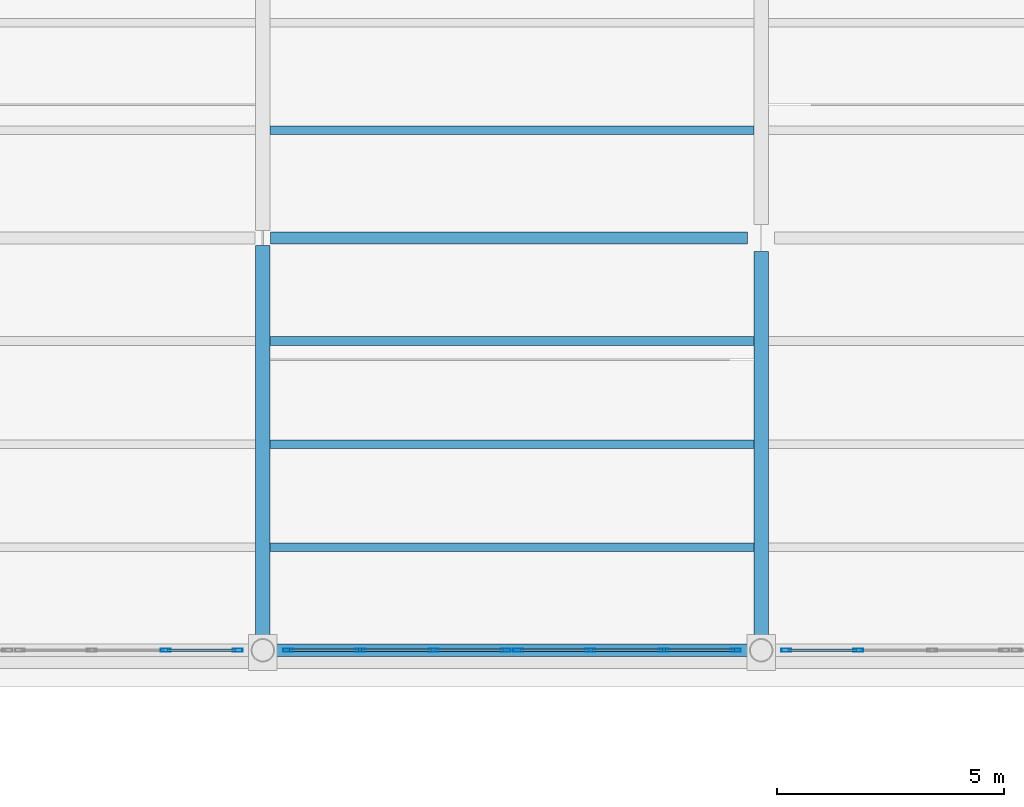
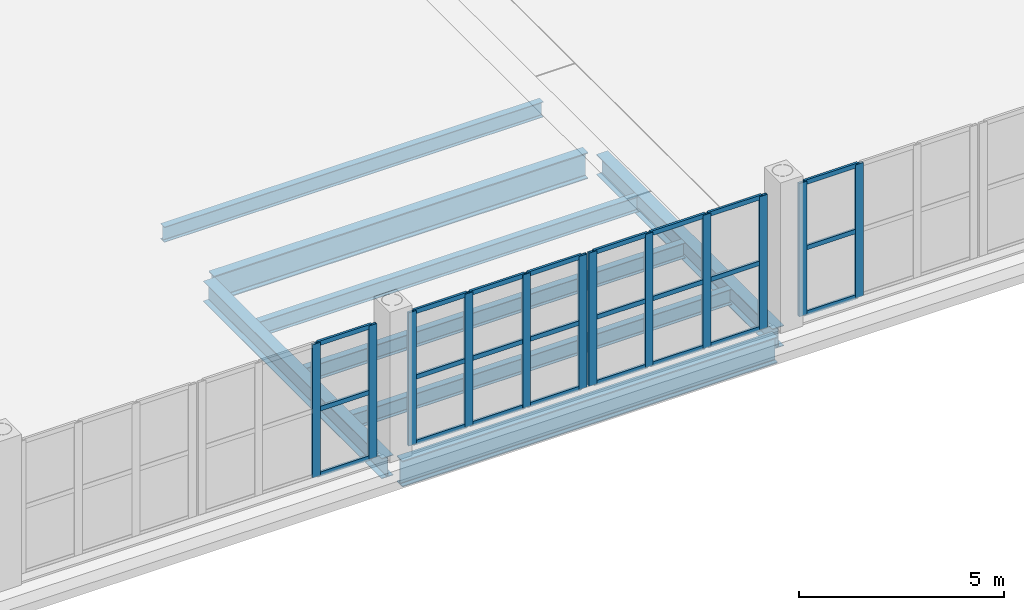
# One storey, part 26 of 156: 36 members, 8 beams, 4 elements without a shape of their own.
"""IFC4 building model written with IfcOpenShell, lengths in metres."""

from ifc_helpers import new_model, si_unit, direction, frame, origin, origin_2d, place, context, subcontext, project, spatial, hollow_rectangle, i_section, extrude, material, material_profile, profile_set, type_object, element, aggregate, save


model = new_model("IFC4")

# Units and contexts
model_context = context("Model", 3, precision=1e-05, world=origin(), true_north=direction((0.0, 1.0)))
body_context = subcontext(model_context, "Body", "Model", "MODEL_VIEW")
ifc_project = project(units=[si_unit("LENGTHUNIT", "METRE"), si_unit("AREAUNIT", "SQUARE_METRE"), si_unit("VOLUMEUNIT", "CUBIC_METRE"), si_unit("PLANEANGLEUNIT", "RADIAN"), si_unit("MASSUNIT", "GRAM", prefix="KILO")], contexts=[model_context])

# Site, building, storey
site_placement = place(None, origin())
site = spatial("IfcSite", under=ifc_project, at=site_placement, CompositionType="ELEMENT")
building_placement = place(site_placement, origin())
building = spatial("IfcBuilding", under=site, at=building_placement, Name="Caurita Quay Ferry Terminal", CompositionType="ELEMENT")
storey_placement = place(building_placement, frame((0.0, 0.0, 5.39990234375)))
storey = spatial("IfcBuildingStorey", under=building, at=storey_placement, Name="L01", CompositionType="ELEMENT", Elevation=5.39990234375)

# Beams
ifc_material_1 = material(Name="Structural steel ASTM A992 Gr. 50", Category="steel")
ifc_material_profile_1 = material_profile(ifc_material_1, i_section(OverallWidth=0.3251953125, OverallDepth=0.612060546875, WebThickness=0.0126953125, FlangeThickness=0.01904296875, FilletRadius=0.01513671875, at=origin_2d()), Name="W24X104")
ifc_profile_set_1 = profile_set([ifc_material_profile_1], Name="Structural steel ASTM A992 Gr. 50")
beam_type_1 = type_object("IfcBeamType", Name="BM-GR-W24A", PredefinedType="BEAM", material=ifc_profile_set_1)
beam_1_placement = place(storey_placement, frame((33.0, 34.81591796875, -0.60595703125), z_axis=(0.0, 1.0, 0.0), x_axis=(-1.0, 0.0, 0.0)))
element("IfcBeam", 1, at=beam_1_placement, inside=storey, type_object=beam_type_1, Name="L01 Beam BM-V1-L01-Y-330-348", PredefinedType="BEAM", context=body_context, shape_type="SweptSolid", body=[
    extrude(i_section(OverallWidth=0.3251953125, OverallDepth=0.612060546875, WebThickness=0.0126953125, FlangeThickness=0.01904296875, FilletRadius=0.01513671875, at=origin_2d()), origin(), (0.0, 0.0, 1.0), 8.714599609375),
])
beam_2_placement = place(storey_placement, frame((44.0, 34.81591796875, -0.60595703125), z_axis=(0.0, 1.0, 0.0), x_axis=(-1.0, 0.0, 0.0)))
element("IfcBeam", 2, at=beam_2_placement, inside=storey, type_object=beam_type_1, Name="L01 Beam BM-V1-L01-Y-440-348", PredefinedType="BEAM", context=body_context, shape_type="SweptSolid", body=[
    extrude(i_section(OverallWidth=0.3251953125, OverallDepth=0.612060546875, WebThickness=0.0126953125, FlangeThickness=0.01904296875, FilletRadius=0.01513671875, at=origin_2d()), origin(), (0.0, 0.0, 1.0), 8.586669921875),
])
ifc_material_profile_2 = material_profile(ifc_material_1, i_section(OverallWidth=0.2666015625, OverallDepth=0.77978515625, WebThickness=0.0166015625, FlangeThickness=0.030029296875, FilletRadius=0.01904296875, at=origin_2d()), Name="W30X148")
ifc_profile_set_2 = profile_set([ifc_material_profile_2], Name="Structural steel ASTM A992 Gr. 50")
beam_type_2 = type_object("IfcBeamType", Name="BM-GR-W30A", PredefinedType="BEAM", material=ifc_profile_set_2)
beam_3_placement = place(storey_placement, frame((33.2158203125, 34.60009765625, -0.689697265625), z_axis=(1.0, 0.0, 0.0), x_axis=(0.0, 1.0, 0.0)))
element("IfcBeam", 3, at=beam_3_placement, inside=storey, type_object=beam_type_2, Name="L01 Beam BM-V1-L01-X-332-346", PredefinedType="BEAM", context=body_context, shape_type="SweptSolid", body=[
    extrude(i_section(OverallWidth=0.2666015625, OverallDepth=0.77978515625, WebThickness=0.0166015625, FlangeThickness=0.030029296875, FilletRadius=0.01904296875, at=origin_2d()), origin(), (0.0, 0.0, 1.0), 10.568359375),
])
beam_4_placement = place(storey_placement, frame((33.17041015625, 43.699951171875, -0.689697265625), z_axis=(1.0, 0.0, 0.0), x_axis=(0.0, 1.0, 0.0)))
element("IfcBeam", 4, at=beam_4_placement, inside=storey, type_object=beam_type_2, Name="L01 Beam BM-V1-L01-X-332-437", PredefinedType="BEAM", context=body_context, shape_type="SweptSolid", body=[
    extrude(i_section(OverallWidth=0.2666015625, OverallDepth=0.77978515625, WebThickness=0.0166015625, FlangeThickness=0.030029296875, FilletRadius=0.01904296875, at=origin_2d()), origin(), (0.0, 0.0, 1.0), 10.531982421875),
])
ifc_material_profile_3 = material_profile(ifc_material_1, i_section(OverallWidth=0.1904296875, OverallDepth=0.457275390625, WebThickness=0.009033203125, FlangeThickness=0.014404296875, FilletRadius=0.0126953125, at=origin_2d()), Name="W18X50")
ifc_profile_set_3 = profile_set([ifc_material_profile_3], Name="Structural steel ASTM A992 Gr. 50")
beam_type_3 = type_object("IfcBeamType", Name="BM-JS-W18B", PredefinedType="JOIST", material=ifc_profile_set_3)
for number, where, z_axis, x_axis, name in (
    (5, (33.16259765625, 36.875, -0.528564453125), (1.0, 0.0, 0.0), (0.0, 1.0, 0.0), "L01 Beam JS-V1-L01-029"),
    (6, (33.16259765625, 39.14990234375, -0.528564453125), (1.0, 0.0, 0.0), (0.0, 1.0, 0.0), "L01 Beam JS-V1-L01-030"),
    (7, (33.16259765625, 41.425048828125, -0.528564453125), (1.0, 0.0, 0.0), (0.0, 1.0, 0.0), "L01 Beam JS-V1-L01-031"),
    (8, (33.16259765625, 46.074951171875, -0.528564453125), (1.0, 0.0, 0.0), (0.0, 1.0, 0.0), "L01 Beam JS-V1-L01-032"),
):
    element("IfcBeam", number, at=place(storey_placement, frame(where, z_axis=z_axis, x_axis=x_axis)), inside=storey, type_object=beam_type_3, Name=name, PredefinedType="JOIST", context=body_context, shape_type="SweptSolid", body=[
        extrude(i_section(OverallWidth=0.1904296875, OverallDepth=0.457275390625, WebThickness=0.009033203125, FlangeThickness=0.014404296875, FilletRadius=0.0126953125, at=origin_2d()), origin(), (0.0, 0.0, 1.0), 10.6748046875),
    ])

# Curtain wall, members
ifc_material_2 = material(Name="Laminated solar-control insulated glass", Category="glass")
curtain_wall_type = type_object("IfcCurtainWallType", Name="CW-SYS-08", PredefinedType="NOTDEFINED", material=ifc_material_2)
curtain_wall_1_placement = place(storey_placement, origin())
curtain_wall_1 = element("IfcCurtainWall", 9, at=curtain_wall_1_placement, inside=storey, type_object=curtain_wall_type, Name="V1 Waterside Concourse Curtain Wall 054", PredefinedType="NOTDEFINED")
ifc_material_3 = material(Name="Anodized aluminium 6063-T6", Category="aluminium")
ifc_material_profile_4 = material_profile(ifc_material_3, hollow_rectangle(XDim=0.074951171875, YDim=0.219970703125, WallThickness=0.00390625, at=origin_2d()), Name="ALU-MUL-75X220")
ifc_profile_set_4 = profile_set([ifc_material_profile_4], Name="Anodized aluminium 6063-T6")
member_type_1 = type_object("IfcMemberType", Name="CW-MUL-220", PredefinedType="MULLION", material=ifc_profile_set_4)
member_1_placement = place(storey_placement, frame((30.853271484375, 34.60009765625, 0.0), z_axis=(0.0, 0.0, 1.0), x_axis=(0.0, 1.0, 0.0)))
member_1 = element("IfcMember", 10, at=member_1_placement, type_object=member_type_1, Name="CW-SEA-054 Mullion 3", PredefinedType="MULLION", context=body_context, shape_type="SweptSolid", body=[
    extrude(hollow_rectangle(XDim=0.074951171875, YDim=0.219970703125, WallThickness=0.00390625, at=origin_2d()), origin(), (0.0, 0.0, 1.0), 3.97021484375),
])
member_2_placement = place(storey_placement, frame((32.4423828125, 34.60009765625, 0.0), z_axis=(0.0, 0.0, 1.0), x_axis=(0.0, 1.0, 0.0)))
member_2 = element("IfcMember", 11, at=member_2_placement, type_object=member_type_1, Name="CW-SEA-054 Mullion 4", PredefinedType="MULLION", context=body_context, shape_type="SweptSolid", body=[
    extrude(hollow_rectangle(XDim=0.074951171875, YDim=0.219970703125, WallThickness=0.00390625, at=origin_2d()), origin(), (0.0, 0.0, 1.0), 3.97021484375),
])

curtain_wall_2_placement = place(storey_placement, origin())
curtain_wall_2 = element("IfcCurtainWall", 12, at=curtain_wall_2_placement, inside=storey, type_object=curtain_wall_type, Name="V1 Waterside Concourse Curtain Wall 055", PredefinedType="NOTDEFINED")
member_3_placement = place(storey_placement, frame((33.5576171875, 34.60009765625, 0.0), z_axis=(0.0, 0.0, 1.0), x_axis=(0.0, 1.0, 0.0)))
member_3 = element("IfcMember", 13, at=member_3_placement, type_object=member_type_1, Name="CW-SEA-055 Mullion 1", PredefinedType="MULLION", context=body_context, shape_type="SweptSolid", body=[
    extrude(hollow_rectangle(XDim=0.074951171875, YDim=0.219970703125, WallThickness=0.00390625, at=origin_2d()), origin(), (0.0, 0.0, 1.0), 3.97021484375),
])
member_4_placement = place(storey_placement, frame((35.146728515625, 34.60009765625, 0.0), z_axis=(0.0, 0.0, 1.0), x_axis=(0.0, 1.0, 0.0)))
member_4 = element("IfcMember", 14, at=member_4_placement, type_object=member_type_1, Name="CW-SEA-055 Mullion 2", PredefinedType="MULLION", context=body_context, shape_type="SweptSolid", body=[
    extrude(hollow_rectangle(XDim=0.074951171875, YDim=0.219970703125, WallThickness=0.00390625, at=origin_2d()), origin(), (0.0, 0.0, 1.0), 3.97021484375),
])
member_5_placement = place(storey_placement, frame((36.773193359375, 34.60009765625, 0.0), z_axis=(0.0, 0.0, 1.0), x_axis=(0.0, 1.0, 0.0)))
member_5 = element("IfcMember", 15, at=member_5_placement, type_object=member_type_1, Name="CW-SEA-055 Mullion 3", PredefinedType="MULLION", context=body_context, shape_type="SweptSolid", body=[
    extrude(hollow_rectangle(XDim=0.074951171875, YDim=0.219970703125, WallThickness=0.00390625, at=origin_2d()), origin(), (0.0, 0.0, 1.0), 3.97021484375),
])
member_6_placement = place(storey_placement, frame((38.362548828125, 34.60009765625, 0.0), z_axis=(0.0, 0.0, 1.0), x_axis=(0.0, 1.0, 0.0)))
member_6 = element("IfcMember", 16, at=member_6_placement, type_object=member_type_1, Name="CW-SEA-055 Mullion 4", PredefinedType="MULLION", context=body_context, shape_type="SweptSolid", body=[
    extrude(hollow_rectangle(XDim=0.074951171875, YDim=0.219970703125, WallThickness=0.00390625, at=origin_2d()), origin(), (0.0, 0.0, 1.0), 3.97021484375),
])

curtain_wall_3_placement = place(storey_placement, origin())
curtain_wall_3 = element("IfcCurtainWall", 17, at=curtain_wall_3_placement, inside=storey, type_object=curtain_wall_type, Name="V1 Waterside Concourse Curtain Wall 056", PredefinedType="NOTDEFINED")
member_7_placement = place(storey_placement, frame((38.637451171875, 34.60009765625, 0.0), z_axis=(0.0, 0.0, 1.0), x_axis=(0.0, 1.0, 0.0)))
member_7 = element("IfcMember", 18, at=member_7_placement, type_object=member_type_1, Name="CW-SEA-056 Mullion 1", PredefinedType="MULLION", context=body_context, shape_type="SweptSolid", body=[
    extrude(hollow_rectangle(XDim=0.074951171875, YDim=0.219970703125, WallThickness=0.00390625, at=origin_2d()), origin(), (0.0, 0.0, 1.0), 3.97021484375),
])
member_8_placement = place(storey_placement, frame((40.226806640625, 34.60009765625, 0.0), z_axis=(0.0, 0.0, 1.0), x_axis=(0.0, 1.0, 0.0)))
member_8 = element("IfcMember", 19, at=member_8_placement, type_object=member_type_1, Name="CW-SEA-056 Mullion 2", PredefinedType="MULLION", context=body_context, shape_type="SweptSolid", body=[
    extrude(hollow_rectangle(XDim=0.074951171875, YDim=0.219970703125, WallThickness=0.00390625, at=origin_2d()), origin(), (0.0, 0.0, 1.0), 3.97021484375),
])
member_9_placement = place(storey_placement, frame((41.853271484375, 34.60009765625, 0.0), z_axis=(0.0, 0.0, 1.0), x_axis=(0.0, 1.0, 0.0)))
member_9 = element("IfcMember", 20, at=member_9_placement, type_object=member_type_1, Name="CW-SEA-056 Mullion 3", PredefinedType="MULLION", context=body_context, shape_type="SweptSolid", body=[
    extrude(hollow_rectangle(XDim=0.074951171875, YDim=0.219970703125, WallThickness=0.00390625, at=origin_2d()), origin(), (0.0, 0.0, 1.0), 3.97021484375),
])
member_10_placement = place(storey_placement, frame((43.4423828125, 34.60009765625, 0.0), z_axis=(0.0, 0.0, 1.0), x_axis=(0.0, 1.0, 0.0)))
member_10 = element("IfcMember", 21, at=member_10_placement, type_object=member_type_1, Name="CW-SEA-056 Mullion 4", PredefinedType="MULLION", context=body_context, shape_type="SweptSolid", body=[
    extrude(hollow_rectangle(XDim=0.074951171875, YDim=0.219970703125, WallThickness=0.00390625, at=origin_2d()), origin(), (0.0, 0.0, 1.0), 3.97021484375),
])

curtain_wall_4_placement = place(storey_placement, origin())
curtain_wall_4 = element("IfcCurtainWall", 22, at=curtain_wall_4_placement, inside=storey, type_object=curtain_wall_type, Name="V1 Waterside Concourse Curtain Wall 057", PredefinedType="NOTDEFINED")
member_11_placement = place(storey_placement, frame((44.5576171875, 34.60009765625, 0.0), z_axis=(0.0, 0.0, 1.0), x_axis=(0.0, 1.0, 0.0)))
member_11 = element("IfcMember", 23, at=member_11_placement, type_object=member_type_1, Name="CW-SEA-057 Mullion 1", PredefinedType="MULLION", context=body_context, shape_type="SweptSolid", body=[
    extrude(hollow_rectangle(XDim=0.074951171875, YDim=0.219970703125, WallThickness=0.00390625, at=origin_2d()), origin(), (0.0, 0.0, 1.0), 3.97021484375),
])
member_12_placement = place(storey_placement, frame((46.146728515625, 34.60009765625, 0.0), z_axis=(0.0, 0.0, 1.0), x_axis=(0.0, 1.0, 0.0)))
member_12 = element("IfcMember", 24, at=member_12_placement, type_object=member_type_1, Name="CW-SEA-057 Mullion 2", PredefinedType="MULLION", context=body_context, shape_type="SweptSolid", body=[
    extrude(hollow_rectangle(XDim=0.074951171875, YDim=0.219970703125, WallThickness=0.00390625, at=origin_2d()), origin(), (0.0, 0.0, 1.0), 3.97021484375),
])

# Member
ifc_material_profile_5 = material_profile(ifc_material_3, hollow_rectangle(XDim=0.06494140625, YDim=0.135009765625, WallThickness=0.00341796875, at=origin_2d()), Name="ALU-TRN-65X135")
ifc_profile_set_5 = profile_set([ifc_material_profile_5], Name="Anodized aluminium 6063-T6")
member_type_2 = type_object("IfcMemberType", Name="CW-TRN-135", PredefinedType="USERDEFINED", material=ifc_profile_set_5)
member_13_placement = place(storey_placement, frame((30.888916015625, 34.60009765625, 0.03271484375), z_axis=(1.0, 0.0, 0.0), x_axis=(0.0, 1.0, 0.0)))
member_13 = element("IfcMember", 25, at=member_13_placement, type_object=member_type_2, Name="CW-SEA-054 Transom 7", ObjectType="TRANSOM", PredefinedType="USERDEFINED", context=body_context, shape_type="SweptSolid", body=[
    extrude(hollow_rectangle(XDim=0.06494140625, YDim=0.135009765625, WallThickness=0.00341796875, at=origin_2d()), origin(), (0.0, 0.0, 1.0), 1.51806640625),
])

member_14_placement = place(storey_placement, frame((30.888916015625, 34.60009765625, 1.985107421875), z_axis=(1.0, 0.0, 0.0), x_axis=(0.0, 1.0, 0.0)))
member_14 = element("IfcMember", 26, at=member_14_placement, type_object=member_type_2, Name="CW-SEA-054 Transom 8", ObjectType="TRANSOM", PredefinedType="USERDEFINED", context=body_context, shape_type="SweptSolid", body=[
    extrude(hollow_rectangle(XDim=0.06494140625, YDim=0.135009765625, WallThickness=0.00341796875, at=origin_2d()), origin(), (0.0, 0.0, 1.0), 1.51806640625),
])

member_15_placement = place(storey_placement, frame((30.888916015625, 34.60009765625, 3.9375), z_axis=(1.0, 0.0, 0.0), x_axis=(0.0, 1.0, 0.0)))
member_15 = element("IfcMember", 27, at=member_15_placement, type_object=member_type_2, Name="CW-SEA-054 Transom 9", ObjectType="TRANSOM", PredefinedType="USERDEFINED", context=body_context, shape_type="SweptSolid", body=[
    extrude(hollow_rectangle(XDim=0.06494140625, YDim=0.135009765625, WallThickness=0.00341796875, at=origin_2d()), origin(), (0.0, 0.0, 1.0), 1.51806640625),
])

aggregate(curtain_wall_1, [member_1, member_2, member_13, member_14, member_15])

member_16_placement = place(storey_placement, frame((33.593017578125, 34.60009765625, 0.03271484375), z_axis=(1.0, 0.0, 0.0), x_axis=(0.0, 1.0, 0.0)))
member_16 = element("IfcMember", 28, at=member_16_placement, type_object=member_type_2, Name="CW-SEA-055 Transom 1", ObjectType="TRANSOM", PredefinedType="USERDEFINED", context=body_context, shape_type="SweptSolid", body=[
    extrude(hollow_rectangle(XDim=0.06494140625, YDim=0.135009765625, WallThickness=0.00341796875, at=origin_2d()), origin(), (0.0, 0.0, 1.0), 1.51806640625),
])

member_17_placement = place(storey_placement, frame((33.593017578125, 34.60009765625, 1.985107421875), z_axis=(1.0, 0.0, 0.0), x_axis=(0.0, 1.0, 0.0)))
member_17 = element("IfcMember", 29, at=member_17_placement, type_object=member_type_2, Name="CW-SEA-055 Transom 2", ObjectType="TRANSOM", PredefinedType="USERDEFINED", context=body_context, shape_type="SweptSolid", body=[
    extrude(hollow_rectangle(XDim=0.06494140625, YDim=0.135009765625, WallThickness=0.00341796875, at=origin_2d()), origin(), (0.0, 0.0, 1.0), 1.51806640625),
])

member_18_placement = place(storey_placement, frame((33.593017578125, 34.60009765625, 3.9375), z_axis=(1.0, 0.0, 0.0), x_axis=(0.0, 1.0, 0.0)))
member_18 = element("IfcMember", 30, at=member_18_placement, type_object=member_type_2, Name="CW-SEA-055 Transom 3", ObjectType="TRANSOM", PredefinedType="USERDEFINED", context=body_context, shape_type="SweptSolid", body=[
    extrude(hollow_rectangle(XDim=0.06494140625, YDim=0.135009765625, WallThickness=0.00341796875, at=origin_2d()), origin(), (0.0, 0.0, 1.0), 1.51806640625),
])

member_19_placement = place(storey_placement, frame((35.18212890625, 34.60009765625, 0.03271484375), z_axis=(1.0, 0.0, 0.0), x_axis=(0.0, 1.0, 0.0)))
member_19 = element("IfcMember", 31, at=member_19_placement, type_object=member_type_2, Name="CW-SEA-055 Transom 4", ObjectType="TRANSOM", PredefinedType="USERDEFINED", context=body_context, shape_type="SweptSolid", body=[
    extrude(hollow_rectangle(XDim=0.06494140625, YDim=0.135009765625, WallThickness=0.00341796875, at=origin_2d()), origin(), (0.0, 0.0, 1.0), 1.5556640625),
])

member_20_placement = place(storey_placement, frame((35.18212890625, 34.60009765625, 1.985107421875), z_axis=(1.0, 0.0, 0.0), x_axis=(0.0, 1.0, 0.0)))
member_20 = element("IfcMember", 32, at=member_20_placement, type_object=member_type_2, Name="CW-SEA-055 Transom 5", ObjectType="TRANSOM", PredefinedType="USERDEFINED", context=body_context, shape_type="SweptSolid", body=[
    extrude(hollow_rectangle(XDim=0.06494140625, YDim=0.135009765625, WallThickness=0.00341796875, at=origin_2d()), origin(), (0.0, 0.0, 1.0), 1.5556640625),
])

member_21_placement = place(storey_placement, frame((35.18212890625, 34.60009765625, 3.9375), z_axis=(1.0, 0.0, 0.0), x_axis=(0.0, 1.0, 0.0)))
member_21 = element("IfcMember", 33, at=member_21_placement, type_object=member_type_2, Name="CW-SEA-055 Transom 6", ObjectType="TRANSOM", PredefinedType="USERDEFINED", context=body_context, shape_type="SweptSolid", body=[
    extrude(hollow_rectangle(XDim=0.06494140625, YDim=0.135009765625, WallThickness=0.00341796875, at=origin_2d()), origin(), (0.0, 0.0, 1.0), 1.5556640625),
])

member_22_placement = place(storey_placement, frame((36.808837890625, 34.60009765625, 0.03271484375), z_axis=(1.0, 0.0, 0.0), x_axis=(0.0, 1.0, 0.0)))
member_22 = element("IfcMember", 34, at=member_22_placement, type_object=member_type_2, Name="CW-SEA-055 Transom 7", ObjectType="TRANSOM", PredefinedType="USERDEFINED", context=body_context, shape_type="SweptSolid", body=[
    extrude(hollow_rectangle(XDim=0.06494140625, YDim=0.135009765625, WallThickness=0.00341796875, at=origin_2d()), origin(), (0.0, 0.0, 1.0), 1.51806640625),
])

member_23_placement = place(storey_placement, frame((36.808837890625, 34.60009765625, 1.985107421875), z_axis=(1.0, 0.0, 0.0), x_axis=(0.0, 1.0, 0.0)))
member_23 = element("IfcMember", 35, at=member_23_placement, type_object=member_type_2, Name="CW-SEA-055 Transom 8", ObjectType="TRANSOM", PredefinedType="USERDEFINED", context=body_context, shape_type="SweptSolid", body=[
    extrude(hollow_rectangle(XDim=0.06494140625, YDim=0.135009765625, WallThickness=0.00341796875, at=origin_2d()), origin(), (0.0, 0.0, 1.0), 1.51806640625),
])

member_24_placement = place(storey_placement, frame((36.808837890625, 34.60009765625, 3.9375), z_axis=(1.0, 0.0, 0.0), x_axis=(0.0, 1.0, 0.0)))
member_24 = element("IfcMember", 36, at=member_24_placement, type_object=member_type_2, Name="CW-SEA-055 Transom 9", ObjectType="TRANSOM", PredefinedType="USERDEFINED", context=body_context, shape_type="SweptSolid", body=[
    extrude(hollow_rectangle(XDim=0.06494140625, YDim=0.135009765625, WallThickness=0.00341796875, at=origin_2d()), origin(), (0.0, 0.0, 1.0), 1.51806640625),
])

aggregate(curtain_wall_2, [member_3, member_4, member_5, member_6, member_16, member_17, member_18, member_19, member_20, member_21, member_22, member_23, member_24])

member_25_placement = place(storey_placement, frame((38.673095703125, 34.60009765625, 0.03271484375), z_axis=(1.0, 0.0, 0.0), x_axis=(0.0, 1.0, 0.0)))
member_25 = element("IfcMember", 37, at=member_25_placement, type_object=member_type_2, Name="CW-SEA-056 Transom 1", ObjectType="TRANSOM", PredefinedType="USERDEFINED", context=body_context, shape_type="SweptSolid", body=[
    extrude(hollow_rectangle(XDim=0.06494140625, YDim=0.135009765625, WallThickness=0.00341796875, at=origin_2d()), origin(), (0.0, 0.0, 1.0), 1.51806640625),
])

member_26_placement = place(storey_placement, frame((38.673095703125, 34.60009765625, 1.985107421875), z_axis=(1.0, 0.0, 0.0), x_axis=(0.0, 1.0, 0.0)))
member_26 = element("IfcMember", 38, at=member_26_placement, type_object=member_type_2, Name="CW-SEA-056 Transom 2", ObjectType="TRANSOM", PredefinedType="USERDEFINED", context=body_context, shape_type="SweptSolid", body=[
    extrude(hollow_rectangle(XDim=0.06494140625, YDim=0.135009765625, WallThickness=0.00341796875, at=origin_2d()), origin(), (0.0, 0.0, 1.0), 1.51806640625),
])

member_27_placement = place(storey_placement, frame((38.673095703125, 34.60009765625, 3.9375), z_axis=(1.0, 0.0, 0.0), x_axis=(0.0, 1.0, 0.0)))
member_27 = element("IfcMember", 39, at=member_27_placement, type_object=member_type_2, Name="CW-SEA-056 Transom 3", ObjectType="TRANSOM", PredefinedType="USERDEFINED", context=body_context, shape_type="SweptSolid", body=[
    extrude(hollow_rectangle(XDim=0.06494140625, YDim=0.135009765625, WallThickness=0.00341796875, at=origin_2d()), origin(), (0.0, 0.0, 1.0), 1.51806640625),
])

member_28_placement = place(storey_placement, frame((40.26220703125, 34.60009765625, 0.03271484375), z_axis=(1.0, 0.0, 0.0), x_axis=(0.0, 1.0, 0.0)))
member_28 = element("IfcMember", 40, at=member_28_placement, type_object=member_type_2, Name="CW-SEA-056 Transom 4", ObjectType="TRANSOM", PredefinedType="USERDEFINED", context=body_context, shape_type="SweptSolid", body=[
    extrude(hollow_rectangle(XDim=0.06494140625, YDim=0.135009765625, WallThickness=0.00341796875, at=origin_2d()), origin(), (0.0, 0.0, 1.0), 1.5556640625),
])

member_29_placement = place(storey_placement, frame((40.26220703125, 34.60009765625, 1.985107421875), z_axis=(1.0, 0.0, 0.0), x_axis=(0.0, 1.0, 0.0)))
member_29 = element("IfcMember", 41, at=member_29_placement, type_object=member_type_2, Name="CW-SEA-056 Transom 5", ObjectType="TRANSOM", PredefinedType="USERDEFINED", context=body_context, shape_type="SweptSolid", body=[
    extrude(hollow_rectangle(XDim=0.06494140625, YDim=0.135009765625, WallThickness=0.00341796875, at=origin_2d()), origin(), (0.0, 0.0, 1.0), 1.5556640625),
])

member_30_placement = place(storey_placement, frame((40.26220703125, 34.60009765625, 3.9375), z_axis=(1.0, 0.0, 0.0), x_axis=(0.0, 1.0, 0.0)))
member_30 = element("IfcMember", 42, at=member_30_placement, type_object=member_type_2, Name="CW-SEA-056 Transom 6", ObjectType="TRANSOM", PredefinedType="USERDEFINED", context=body_context, shape_type="SweptSolid", body=[
    extrude(hollow_rectangle(XDim=0.06494140625, YDim=0.135009765625, WallThickness=0.00341796875, at=origin_2d()), origin(), (0.0, 0.0, 1.0), 1.5556640625),
])

member_31_placement = place(storey_placement, frame((41.888916015625, 34.60009765625, 0.03271484375), z_axis=(1.0, 0.0, 0.0), x_axis=(0.0, 1.0, 0.0)))
member_31 = element("IfcMember", 43, at=member_31_placement, type_object=member_type_2, Name="CW-SEA-056 Transom 7", ObjectType="TRANSOM", PredefinedType="USERDEFINED", context=body_context, shape_type="SweptSolid", body=[
    extrude(hollow_rectangle(XDim=0.06494140625, YDim=0.135009765625, WallThickness=0.00341796875, at=origin_2d()), origin(), (0.0, 0.0, 1.0), 1.51806640625),
])

member_32_placement = place(storey_placement, frame((41.888916015625, 34.60009765625, 1.985107421875), z_axis=(1.0, 0.0, 0.0), x_axis=(0.0, 1.0, 0.0)))
member_32 = element("IfcMember", 44, at=member_32_placement, type_object=member_type_2, Name="CW-SEA-056 Transom 8", ObjectType="TRANSOM", PredefinedType="USERDEFINED", context=body_context, shape_type="SweptSolid", body=[
    extrude(hollow_rectangle(XDim=0.06494140625, YDim=0.135009765625, WallThickness=0.00341796875, at=origin_2d()), origin(), (0.0, 0.0, 1.0), 1.51806640625),
])

member_33_placement = place(storey_placement, frame((41.888916015625, 34.60009765625, 3.9375), z_axis=(1.0, 0.0, 0.0), x_axis=(0.0, 1.0, 0.0)))
member_33 = element("IfcMember", 45, at=member_33_placement, type_object=member_type_2, Name="CW-SEA-056 Transom 9", ObjectType="TRANSOM", PredefinedType="USERDEFINED", context=body_context, shape_type="SweptSolid", body=[
    extrude(hollow_rectangle(XDim=0.06494140625, YDim=0.135009765625, WallThickness=0.00341796875, at=origin_2d()), origin(), (0.0, 0.0, 1.0), 1.51806640625),
])

aggregate(curtain_wall_3, [member_7, member_8, member_9, member_10, member_25, member_26, member_27, member_28, member_29, member_30, member_31, member_32, member_33])

member_34_placement = place(storey_placement, frame((44.593017578125, 34.60009765625, 0.03271484375), z_axis=(1.0, 0.0, 0.0), x_axis=(0.0, 1.0, 0.0)))
member_34 = element("IfcMember", 46, at=member_34_placement, type_object=member_type_2, Name="CW-SEA-057 Transom 1", ObjectType="TRANSOM", PredefinedType="USERDEFINED", context=body_context, shape_type="SweptSolid", body=[
    extrude(hollow_rectangle(XDim=0.06494140625, YDim=0.135009765625, WallThickness=0.00341796875, at=origin_2d()), origin(), (0.0, 0.0, 1.0), 1.51806640625),
])

member_35_placement = place(storey_placement, frame((44.593017578125, 34.60009765625, 1.985107421875), z_axis=(1.0, 0.0, 0.0), x_axis=(0.0, 1.0, 0.0)))
member_35 = element("IfcMember", 47, at=member_35_placement, type_object=member_type_2, Name="CW-SEA-057 Transom 2", ObjectType="TRANSOM", PredefinedType="USERDEFINED", context=body_context, shape_type="SweptSolid", body=[
    extrude(hollow_rectangle(XDim=0.06494140625, YDim=0.135009765625, WallThickness=0.00341796875, at=origin_2d()), origin(), (0.0, 0.0, 1.0), 1.51806640625),
])

member_36_placement = place(storey_placement, frame((44.593017578125, 34.60009765625, 3.9375), z_axis=(1.0, 0.0, 0.0), x_axis=(0.0, 1.0, 0.0)))
member_36 = element("IfcMember", 48, at=member_36_placement, type_object=member_type_2, Name="CW-SEA-057 Transom 3", ObjectType="TRANSOM", PredefinedType="USERDEFINED", context=body_context, shape_type="SweptSolid", body=[
    extrude(hollow_rectangle(XDim=0.06494140625, YDim=0.135009765625, WallThickness=0.00341796875, at=origin_2d()), origin(), (0.0, 0.0, 1.0), 1.51806640625),
])

aggregate(curtain_wall_4, [member_11, member_12, member_34, member_35, member_36])

save(model, "model.ifc")
